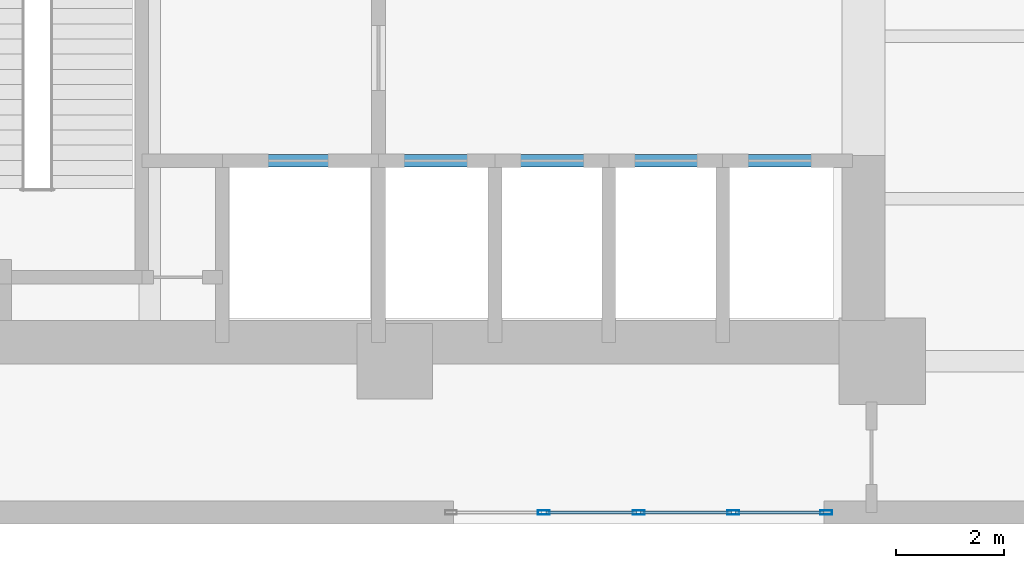
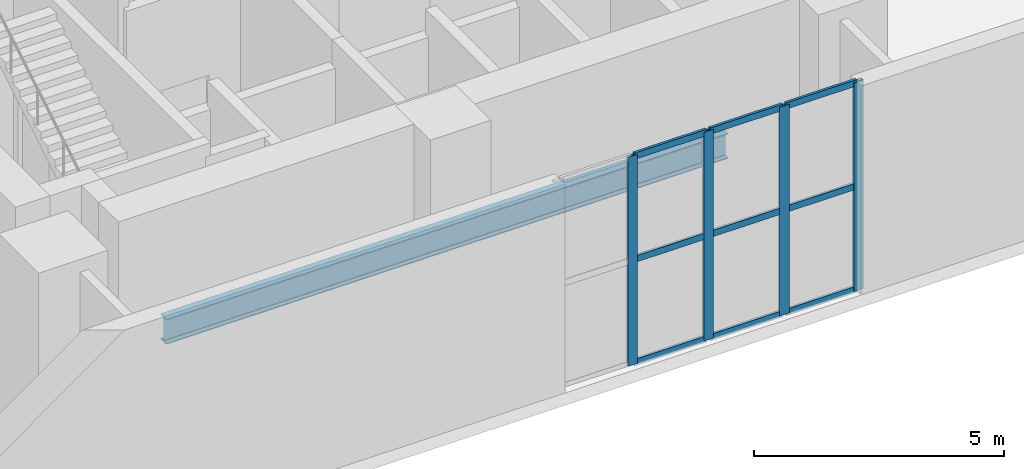
# One storey, part 4 of 20: 13 members, 1 beam, 1 element without a shape of its own.
"""IFC4 building model written with IfcOpenShell, lengths in metres."""

from ifc_helpers import new_model, si_unit, direction, frame, origin, origin_2d, place, context, subcontext, project, spatial, hollow_rectangle, i_section, extrude, material, layer, layer_set, material_profile, profile_set, type_object, element, aggregate, save


model = new_model("IFC4")

# Units and contexts
model_context = context("Model", 3, precision=1e-05, world=origin(), true_north=direction((0.0, 1.0)))
body_context = subcontext(model_context, "Body", "Model", "MODEL_VIEW")
ifc_project = project(units=[si_unit("LENGTHUNIT", "METRE"), si_unit("AREAUNIT", "SQUARE_METRE"), si_unit("VOLUMEUNIT", "CUBIC_METRE"), si_unit("PLANEANGLEUNIT", "RADIAN"), si_unit("MASSUNIT", "GRAM", prefix="KILO")], contexts=[model_context])

# Site, building, storey
site_placement = place(None, origin())
site = spatial("IfcSite", under=ifc_project, at=site_placement, CompositionType="ELEMENT")
building_placement = place(site_placement, origin())
building = spatial("IfcBuilding", under=site, at=building_placement, Name="Mawjdan Bourse Tower", CompositionType="ELEMENT")
storey_placement = place(building_placement, frame((0.0, 0.0, 5.39990234375)))
storey = spatial("IfcBuildingStorey", under=building, at=storey_placement, Name="L01", CompositionType="ELEMENT", Elevation=5.39990234375)

# Beam
ifc_material_1 = material(Name="Structural Steel S355", Category="steel")
ifc_material_profile_1 = material_profile(ifc_material_1, i_section(OverallWidth=0.22998046875, OverallDepth=0.616943359375, WebThickness=0.01318359375, FlangeThickness=0.022216796875, FilletRadius=0.017822265625, at=origin_2d()), Name="W24X94")
ifc_profile_set_1 = profile_set([ifc_material_profile_1], Name="Structural Steel S355")
beam_type = type_object("IfcBeamType", Name="JST-W24X94", PredefinedType="JOIST", material=ifc_profile_set_1)
beam_placement = place(storey_placement, frame((10.677490234375, 6.699951171875, -0.6083984375), z_axis=(1.0, 0.0, 0.0), x_axis=(0.0, 1.0, 0.0)))
element("IfcBeam", 1, at=beam_placement, inside=storey, type_object=beam_type, Name="L01 Core Slab Joist 129", PredefinedType="JOIST", context=body_context, shape_type="SweptSolid", body=[
    extrude(i_section(OverallWidth=0.22998046875, OverallDepth=0.616943359375, WebThickness=0.01318359375, FlangeThickness=0.022216796875, FilletRadius=0.017822265625, at=origin_2d()), origin(), (0.0, 0.0, 1.0), 12.972412109375),
])

# Curtain wall, members
ifc_material_2 = material(Name="Thermally Broken Aluminium and Solar Glass", Category="aluminium")
ifc_layer = layer(ifc_material_2, 0.219970703125)
ifc_layer_set = layer_set([ifc_layer], Name="Thermally Broken Aluminium and Solar Glass")
curtain_wall_type = type_object("IfcCurtainWallType", Name="CW-ENT", PredefinedType="USERDEFINED", material=ifc_layer_set)
curtain_wall_placement = place(storey_placement, origin())
curtain_wall = element("IfcCurtainWall", 2, at=curtain_wall_placement, inside=storey, type_object=curtain_wall_type, Name="L01 South-West Foyer Upper Curtain Wall", ObjectType="FOYER ENTRANCE CURTAIN WALL", PredefinedType="USERDEFINED")
ifc_material_3 = material(Name="Thermally Broken Anodised Aluminium", Category="aluminium")
ifc_material_profile_2 = material_profile(ifc_material_3, hollow_rectangle(XDim=0.074951171875, YDim=0.219970703125, WallThickness=0.0048828125, at=origin_2d()), Name="ALU-MUL-220X75")
ifc_profile_set_2 = profile_set([ifc_material_profile_2], Name="Thermally Broken Anodised Aluminium")
member_type_1 = type_object("IfcMemberType", Name="MUL-ALU-MUL-220X75", PredefinedType="MULLION", material=ifc_profile_set_2)
member_1_placement = place(storey_placement, frame((17.75, 0.2099609375, 0.0), z_axis=(0.0, 0.0, 1.0), x_axis=(0.0, 1.0, 0.0)))
member_1 = element("IfcMember", 3, at=member_1_placement, type_object=member_type_1, Name="CW-ENT-L01-ENT-SW mullion 2", PredefinedType="MULLION", context=body_context, shape_type="SweptSolid", body=[
    extrude(hollow_rectangle(XDim=0.074951171875, YDim=0.219970703125, WallThickness=0.0048828125, at=origin_2d()), origin(), (0.0, 0.0, 1.0), 5.10009765625),
])
member_2_placement = place(storey_placement, frame((19.5, 0.2099609375, 0.0), z_axis=(0.0, 0.0, 1.0), x_axis=(0.0, 1.0, 0.0)))
member_2 = element("IfcMember", 4, at=member_2_placement, type_object=member_type_1, Name="CW-ENT-L01-ENT-SW mullion 3", PredefinedType="MULLION", context=body_context, shape_type="SweptSolid", body=[
    extrude(hollow_rectangle(XDim=0.074951171875, YDim=0.219970703125, WallThickness=0.0048828125, at=origin_2d()), origin(), (0.0, 0.0, 1.0), 5.10009765625),
])
member_3_placement = place(storey_placement, frame((21.25, 0.2099609375, 0.0), z_axis=(0.0, 0.0, 1.0), x_axis=(0.0, 1.0, 0.0)))
member_3 = element("IfcMember", 5, at=member_3_placement, type_object=member_type_1, Name="CW-ENT-L01-ENT-SW mullion 4", PredefinedType="MULLION", context=body_context, shape_type="SweptSolid", body=[
    extrude(hollow_rectangle(XDim=0.074951171875, YDim=0.219970703125, WallThickness=0.0048828125, at=origin_2d()), origin(), (0.0, 0.0, 1.0), 5.10009765625),
])
member_4_placement = place(storey_placement, frame((22.96240234375, 0.2099609375, 0.0), z_axis=(0.0, 0.0, 1.0), x_axis=(0.0, 1.0, 0.0)))
member_4 = element("IfcMember", 6, at=member_4_placement, type_object=member_type_1, Name="CW-ENT-L01-ENT-SW mullion 5", PredefinedType="MULLION", context=body_context, shape_type="SweptSolid", body=[
    extrude(hollow_rectangle(XDim=0.074951171875, YDim=0.219970703125, WallThickness=0.0048828125, at=origin_2d()), origin(), (0.0, 0.0, 1.0), 5.10009765625),
])
ifc_material_profile_3 = material_profile(ifc_material_3, hollow_rectangle(XDim=0.06005859375, YDim=0.155029296875, WallThickness=0.00390625, at=origin_2d()), Name="ALU-TRN-155X60")
ifc_profile_set_3 = profile_set([ifc_material_profile_3], Name="Thermally Broken Anodised Aluminium")
member_type_2 = type_object("IfcMemberType", Name="TRN-ALU-TRN-155X60", PredefinedType="USERDEFINED", material=ifc_profile_set_3)
member_5_placement = place(storey_placement, frame((17.78759765625, 0.2099609375, 0.030029296875), z_axis=(1.0, 0.0, 0.0), x_axis=(0.0, 1.0, 0.0)))
member_5 = element("IfcMember", 7, at=member_5_placement, type_object=member_type_2, Name="CW-ENT-L01-ENT-SW transom 2.1", ObjectType="TRANSOM", PredefinedType="USERDEFINED", context=body_context, shape_type="SweptSolid", body=[
    extrude(hollow_rectangle(XDim=0.06005859375, YDim=0.155029296875, WallThickness=0.00390625, at=origin_2d()), origin(), (0.0, 0.0, 1.0), 1.6748046875),
])
member_6_placement = place(storey_placement, frame((17.78759765625, 0.2099609375, 2.550048828125), z_axis=(1.0, 0.0, 0.0), x_axis=(0.0, 1.0, 0.0)))
member_6 = element("IfcMember", 8, at=member_6_placement, type_object=member_type_2, Name="CW-ENT-L01-ENT-SW transom 2.2", ObjectType="TRANSOM", PredefinedType="USERDEFINED", context=body_context, shape_type="SweptSolid", body=[
    extrude(hollow_rectangle(XDim=0.06005859375, YDim=0.155029296875, WallThickness=0.00390625, at=origin_2d()), origin(), (0.0, 0.0, 1.0), 1.6748046875),
])
member_7_placement = place(storey_placement, frame((17.78759765625, 0.2099609375, 5.070068359375), z_axis=(1.0, 0.0, 0.0), x_axis=(0.0, 1.0, 0.0)))
member_7 = element("IfcMember", 9, at=member_7_placement, type_object=member_type_2, Name="CW-ENT-L01-ENT-SW transom 2.3", ObjectType="TRANSOM", PredefinedType="USERDEFINED", context=body_context, shape_type="SweptSolid", body=[
    extrude(hollow_rectangle(XDim=0.06005859375, YDim=0.155029296875, WallThickness=0.00390625, at=origin_2d()), origin(), (0.0, 0.0, 1.0), 1.6748046875),
])
member_8_placement = place(storey_placement, frame((19.53759765625, 0.2099609375, 0.030029296875), z_axis=(1.0, 0.0, 0.0), x_axis=(0.0, 1.0, 0.0)))
member_8 = element("IfcMember", 10, at=member_8_placement, type_object=member_type_2, Name="CW-ENT-L01-ENT-SW transom 3.1", ObjectType="TRANSOM", PredefinedType="USERDEFINED", context=body_context, shape_type="SweptSolid", body=[
    extrude(hollow_rectangle(XDim=0.06005859375, YDim=0.155029296875, WallThickness=0.00390625, at=origin_2d()), origin(), (0.0, 0.0, 1.0), 1.6748046875),
])
member_9_placement = place(storey_placement, frame((19.53759765625, 0.2099609375, 2.550048828125), z_axis=(1.0, 0.0, 0.0), x_axis=(0.0, 1.0, 0.0)))
member_9 = element("IfcMember", 11, at=member_9_placement, type_object=member_type_2, Name="CW-ENT-L01-ENT-SW transom 3.2", ObjectType="TRANSOM", PredefinedType="USERDEFINED", context=body_context, shape_type="SweptSolid", body=[
    extrude(hollow_rectangle(XDim=0.06005859375, YDim=0.155029296875, WallThickness=0.00390625, at=origin_2d()), origin(), (0.0, 0.0, 1.0), 1.6748046875),
])
member_10_placement = place(storey_placement, frame((19.53759765625, 0.2099609375, 5.070068359375), z_axis=(1.0, 0.0, 0.0), x_axis=(0.0, 1.0, 0.0)))
member_10 = element("IfcMember", 12, at=member_10_placement, type_object=member_type_2, Name="CW-ENT-L01-ENT-SW transom 3.3", ObjectType="TRANSOM", PredefinedType="USERDEFINED", context=body_context, shape_type="SweptSolid", body=[
    extrude(hollow_rectangle(XDim=0.06005859375, YDim=0.155029296875, WallThickness=0.00390625, at=origin_2d()), origin(), (0.0, 0.0, 1.0), 1.6748046875),
])
member_11_placement = place(storey_placement, frame((21.28759765625, 0.2099609375, 0.030029296875), z_axis=(1.0, 0.0, 0.0), x_axis=(0.0, 1.0, 0.0)))
member_11 = element("IfcMember", 13, at=member_11_placement, type_object=member_type_2, Name="CW-ENT-L01-ENT-SW transom 4.1", ObjectType="TRANSOM", PredefinedType="USERDEFINED", context=body_context, shape_type="SweptSolid", body=[
    extrude(hollow_rectangle(XDim=0.06005859375, YDim=0.155029296875, WallThickness=0.00390625, at=origin_2d()), origin(), (0.0, 0.0, 1.0), 1.637451171875),
])
member_12_placement = place(storey_placement, frame((21.28759765625, 0.2099609375, 2.550048828125), z_axis=(1.0, 0.0, 0.0), x_axis=(0.0, 1.0, 0.0)))
member_12 = element("IfcMember", 14, at=member_12_placement, type_object=member_type_2, Name="CW-ENT-L01-ENT-SW transom 4.2", ObjectType="TRANSOM", PredefinedType="USERDEFINED", context=body_context, shape_type="SweptSolid", body=[
    extrude(hollow_rectangle(XDim=0.06005859375, YDim=0.155029296875, WallThickness=0.00390625, at=origin_2d()), origin(), (0.0, 0.0, 1.0), 1.637451171875),
])
member_13_placement = place(storey_placement, frame((21.28759765625, 0.2099609375, 5.070068359375), z_axis=(1.0, 0.0, 0.0), x_axis=(0.0, 1.0, 0.0)))
member_13 = element("IfcMember", 15, at=member_13_placement, type_object=member_type_2, Name="CW-ENT-L01-ENT-SW transom 4.3", ObjectType="TRANSOM", PredefinedType="USERDEFINED", context=body_context, shape_type="SweptSolid", body=[
    extrude(hollow_rectangle(XDim=0.06005859375, YDim=0.155029296875, WallThickness=0.00390625, at=origin_2d()), origin(), (0.0, 0.0, 1.0), 1.637451171875),
])
aggregate(curtain_wall, [member_1, member_2, member_3, member_4, member_5, member_6, member_7, member_8, member_9, member_10, member_11, member_12, member_13])

save(model, "model.ifc")
